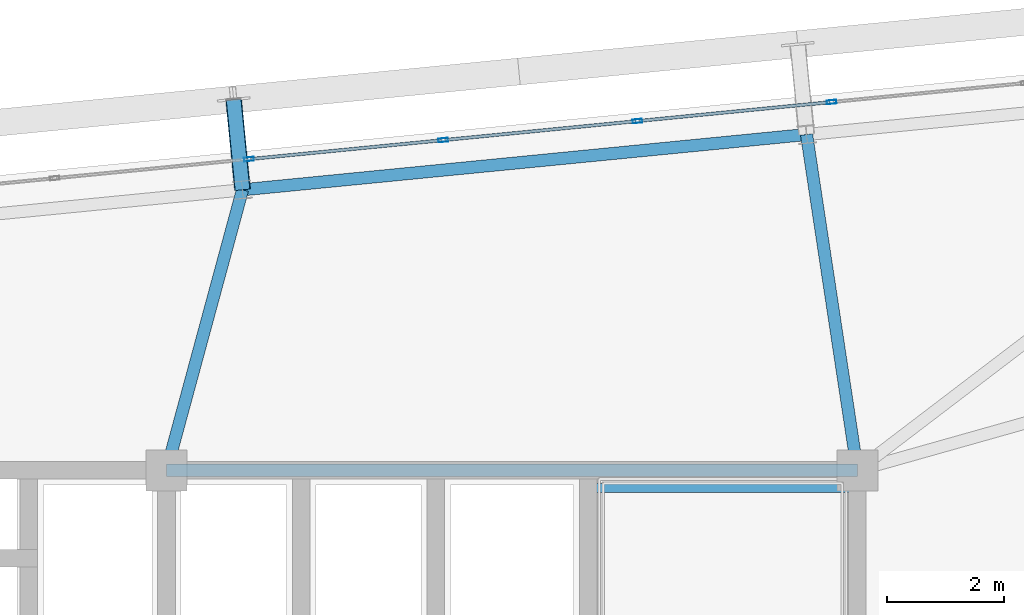
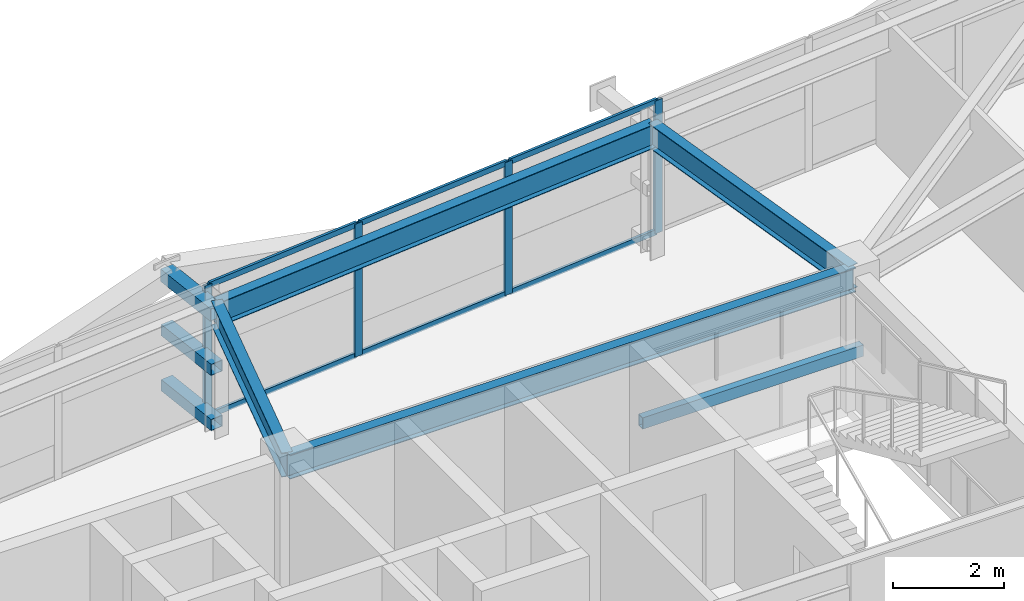
# One storey, part 31 of 52: 13 members, 5 beams, 1 element without a shape of its own.
"""IFC4 building model written with IfcOpenShell, lengths in metres."""

from ifc_helpers import new_model, si_unit, direction, frame, origin, origin_2d, place, context, subcontext, project, spatial, hollow_rectangle, i_section, extrude, source, transform, mapped, material, layer, layer_set, material_profile, profile_set, type_object, element, aggregate, save


model = new_model("IFC4")

# Units and contexts
model_context = context("Model", 3, precision=1e-05, world=origin(), true_north=direction((0.0, 1.0)))
body_context = subcontext(model_context, "Body", "Model", "MODEL_VIEW")
ifc_project = project(units=[si_unit("LENGTHUNIT", "METRE"), si_unit("AREAUNIT", "SQUARE_METRE"), si_unit("VOLUMEUNIT", "CUBIC_METRE"), si_unit("PLANEANGLEUNIT", "RADIAN"), si_unit("MASSUNIT", "GRAM", prefix="KILO")], contexts=[model_context])

# Site, building, storey
site_placement = place(None, origin())
site = spatial("IfcSite", under=ifc_project, at=site_placement, CompositionType="ELEMENT")
building_placement = place(site_placement, origin())
building = spatial("IfcBuilding", under=site, at=building_placement, Name="Taldren Reach Tower", CompositionType="ELEMENT")
storey_placement = place(building_placement, frame((0.0, 0.0, 93.449951171875)))
storey = spatial("IfcBuildingStorey", under=building, at=storey_placement, Name="L28", CompositionType="ELEMENT", Elevation=93.449951171875)

# Beam
ifc_material_1 = material(Name="Steel Gr 350 (350PLUS)", Category="steel")
ifc_material_profile_1 = material_profile(ifc_material_1, i_section(OverallWidth=0.208984375, OverallDepth=0.532958984375, WebThickness=0.01025390625, FlangeThickness=0.015625, at=origin_2d()), Name="530UB92.4")
ifc_profile_set_1 = profile_set([ifc_material_profile_1], Name="Steel Gr 350 (350PLUS)")
beam_type_1 = type_object("IfcBeamType", Name="BM-UB530A", PredefinedType="BEAM", material=ifc_profile_set_1)
shared_shape_1 = source(origin(), body_context, "Body", "SweptSolid", [
    extrude(i_section(OverallWidth=0.208984375, OverallDepth=0.532958984375, WebThickness=0.01025390625, FlangeThickness=0.015625, at=origin_2d()), origin(), (0.0, 0.0, 1.0), 11.800048828125),
])
beam_1_placement = place(storey_placement, frame((39.199951171875, 32.0, 2.66357421875), z_axis=(1.0, 0.0, 0.0), x_axis=(0.0, 1.0, 0.0)))
element("IfcBeam", 1, at=beam_1_placement, inside=storey, type_object=beam_type_1, Name="Core-spine girder L28-SP06", PredefinedType="BEAM", context=body_context, shape_type="MappedRepresentation", body=[
    mapped(shared_shape_1, transform((0.0, 0.0, 0.0), scale=1.0)),
])

# Members
ifc_material_2 = material(Name="Steel Gr 450 (C450L0)", Category="steel")
ifc_material_profile_2 = material_profile(ifc_material_2, hollow_rectangle(XDim=0.27490234375, YDim=0.27490234375, WallThickness=0.00927734375, at=origin_2d()), Name="275x275x9.3SHS")
ifc_profile_set_2 = profile_set([ifc_material_profile_2], Name="Steel Gr 450 (C450L0)")
member_type_1 = type_object("IfcMemberType", Name="MB-TIE273", PredefinedType="STRUT", material=ifc_profile_set_2)
shared_shape_2 = source(origin(), body_context, "Body", "SweptSolid", [
    extrude(hollow_rectangle(XDim=0.27490234375, YDim=0.27490234375, WallThickness=0.00927734375, at=origin_2d()), origin(), (0.0, 0.0, 1.0), 1.5498046875),
])
member_1_placement = place(storey_placement, frame((40.498291015625, 36.790771484375, 2.650146484375), z_axis=(-0.097663201064, 0.995219523099, 0.0), x_axis=(-0.995219523099, -0.097663201064, 0.0)))
element("IfcMember", 2, at=member_1_placement, inside=storey, type_object=member_type_1, Name="Exoskeleton diaphragm tie strut B2-N4 L28", PredefinedType="STRUT", context=body_context, shape_type="MappedRepresentation", body=[
    mapped(shared_shape_2, transform((0.0, 0.0, 0.0), scale=1.0)),
])
ifc_material_3 = material(Name="Steel Gr 350 (C350L0)", Category="steel")
ifc_material_profile_3 = material_profile(ifc_material_3, hollow_rectangle(XDim=0.25, YDim=0.25, WallThickness=0.010009765625, at=origin_2d()), Name="250x250x10.0SHS")
ifc_profile_set_3 = profile_set([ifc_material_profile_3], Name="Steel Gr 350 (C350L0)")
member_type_2 = type_object("IfcMemberType", Name="MB-POST250", PredefinedType="POST", material=ifc_profile_set_3)
shared_shape_3 = source(origin(), body_context, "Body", "SweptSolid", [
    extrude(hollow_rectangle(XDim=0.25, YDim=0.25, WallThickness=0.010009765625, at=origin_2d()), origin(), (0.0, 0.0, 1.0), 1.5498046875),
])
for number, where, z_axis, x_axis, name in (
    (3, (40.498291015625, 36.790771484375, 0.219970703125), (-0.097663201064, 0.995219523099, 0.0), (-0.995219523099, -0.097663201064, 0.0), "Exoskeleton base diaphragm tie strut B2-N4 L28"),
    (4, (40.498291015625, 36.790771484375, 1.43505859375), (-0.097663201064, 0.995219523099, 0.0), (-0.995219523099, -0.097663201064, 0.0), "Exoskeleton mid-tier diaphragm tie B2-N4 L28"),
):
    element("IfcMember", number, at=place(storey_placement, frame(where, z_axis=z_axis, x_axis=x_axis)), inside=storey, type_object=member_type_2, Name=name, PredefinedType="POST", context=body_context, shape_type="MappedRepresentation", body=[
        mapped(shared_shape_3, transform((0.0, 0.0, 0.0), scale=1.0)),
    ])

# Beams
ifc_material_profile_4 = material_profile(ifc_material_1, i_section(OverallWidth=0.208984375, OverallDepth=0.528076171875, WebThickness=0.009521484375, FlangeThickness=0.01318359375, at=origin_2d()), Name="530UB82.0")
ifc_profile_set_4 = profile_set([ifc_material_profile_4], Name="Steel Gr 350 (350PLUS)")
beam_type_2 = type_object("IfcBeamType", Name="SP-UB530B", PredefinedType="SPANDREL", material=ifc_profile_set_4)
shared_shape_4 = source(origin(), body_context, "Body", "SweptSolid", [
    extrude(i_section(OverallWidth=0.208984375, OverallDepth=0.528076171875, WebThickness=0.009521484375, FlangeThickness=0.01318359375, at=origin_2d()), origin(), (0.0, 0.0, 1.0), 9.679931640625),
])
beam_2_placement = place(storey_placement, frame((50.132080078125, 37.7353515625, 2.666015625), z_axis=(-0.995227612658, -0.097580730699, 0.0), x_axis=(0.097580730699, -0.995227612658, 0.0)))
element("IfcBeam", 5, at=beam_2_placement, inside=storey, type_object=beam_type_2, Name="Perimeter spandrel B2 N5-N4 L28", PredefinedType="SPANDREL", context=body_context, shape_type="MappedRepresentation", body=[
    mapped(shared_shape_4, transform((0.0, 0.0, 0.0), scale=1.0)),
])
shared_shape_5 = source(origin(), body_context, "Body", "SweptSolid", [
    extrude(i_section(OverallWidth=0.208984375, OverallDepth=0.532958984375, WebThickness=0.01025390625, FlangeThickness=0.015625, at=origin_2d()), origin(), (0.0, 0.0, 1.0), 5.800537109375),
])
beam_3_placement = place(storey_placement, frame((51.0, 32.0, 2.66357421875), z_axis=(-0.149624592867, 0.988742879221, 0.0), x_axis=(-0.988742879221, -0.149624592867, 0.0)))
element("IfcBeam", 6, at=beam_3_placement, inside=storey, type_object=beam_type_1, Name="Primary floor girder B2-N5 L28", PredefinedType="BEAM", context=body_context, shape_type="MappedRepresentation", body=[
    mapped(shared_shape_5, transform((0.0, 0.0, 0.0), scale=1.0)),
])
shared_shape_6 = source(origin(), body_context, "Body", "SweptSolid", [
    extrude(i_section(OverallWidth=0.208984375, OverallDepth=0.532958984375, WebThickness=0.01025390625, FlangeThickness=0.015625, at=origin_2d()), origin(), (0.0, 0.0, 1.0), 4.963623046875),
])
beam_4_placement = place(storey_placement, frame((39.199951171875, 32.0, 2.66357421875), z_axis=(0.261572995851, 0.965183696423, 0.0), x_axis=(-0.965183696423, 0.261572995851, 0.0)))
element("IfcBeam", 7, at=beam_4_placement, inside=storey, type_object=beam_type_1, Name="Primary floor girder B2-N4 L28", PredefinedType="BEAM", context=body_context, shape_type="MappedRepresentation", body=[
    mapped(shared_shape_6, transform((0.0, 0.0, 0.0), scale=1.0)),
])

# Curtain wall, members
ifc_material_4 = material(Name="Aluminium and Low-E Glass Unitised System", Category="aluminium")
ifc_layer = layer(ifc_material_4, 0.159912109375)
ifc_layer_set = layer_set([ifc_layer], Name="Aluminium and Low-E Glass Unitised System")
curtain_wall_type = type_object("IfcCurtainWallType", Name="CW-SYS-3", PredefinedType="NOTDEFINED", material=ifc_layer_set)
curtain_wall_placement = place(storey_placement, origin())
curtain_wall = element("IfcCurtainWall", 8, at=curtain_wall_placement, inside=storey, type_object=curtain_wall_type, Name="Unitised curtain wall CW-L28-N", PredefinedType="NOTDEFINED")
ifc_material_5 = material(Name="Anodised Aluminium 6063-T6", Category="aluminium")
ifc_material_profile_5 = material_profile(ifc_material_5, hollow_rectangle(XDim=0.06494140625, YDim=0.1650390625, WallThickness=0.00390625, at=origin_2d()), Name="ALU-165x65x4RHS")
ifc_profile_set_5 = profile_set([ifc_material_profile_5], Name="Anodised Aluminium 6063-T6")
member_type_3 = type_object("IfcMemberType", Name="CW-MUL-165", PredefinedType="MULLION", material=ifc_profile_set_5)
shared_shape_7 = source(origin(), body_context, "Body", "SweptSolid", [
    extrude(hollow_rectangle(XDim=0.06494140625, YDim=0.1650390625, WallThickness=0.00390625, at=origin_2d()), origin(), (0.0, 0.0, 1.0), 2.929931640625),
])
member_2_placement = place(storey_placement, frame((50.56005859375, 38.289794921875, 0.0), z_axis=(0.0, 0.0, 1.0), x_axis=(0.097582999046, -0.995227390247, 0.0)))
member_2 = element("IfcMember", 9, at=member_2_placement, type_object=member_type_3, Name="CW-3 mullion 4", PredefinedType="MULLION", context=body_context, shape_type="MappedRepresentation", body=[
    mapped(shared_shape_7, transform((0.0, 0.0, 0.0), scale=1.0)),
])
member_3_placement = place(storey_placement, frame((47.242431640625, 37.96435546875, 0.0), z_axis=(0.0, 0.0, 1.0), x_axis=(0.097582999046, -0.995227390247, 0.0)))
member_3 = element("IfcMember", 10, at=member_3_placement, type_object=member_type_3, Name="CW-3 mullion 5", PredefinedType="MULLION", context=body_context, shape_type="MappedRepresentation", body=[
    mapped(shared_shape_7, transform((0.0, 0.0, 0.0), scale=1.0)),
])
member_4_placement = place(storey_placement, frame((43.925048828125, 37.63916015625, 0.0), z_axis=(0.0, 0.0, 1.0), x_axis=(0.097582999046, -0.995227390247, 0.0)))
member_4 = element("IfcMember", 11, at=member_4_placement, type_object=member_type_3, Name="CW-3 mullion 6", PredefinedType="MULLION", context=body_context, shape_type="MappedRepresentation", body=[
    mapped(shared_shape_7, transform((0.0, 0.0, 0.0), scale=1.0)),
])
member_5_placement = place(storey_placement, frame((40.607666015625, 37.31396484375, 0.0), z_axis=(0.0, 0.0, 1.0), x_axis=(0.097582999046, -0.995227390247, 0.0)))
member_5 = element("IfcMember", 12, at=member_5_placement, type_object=member_type_3, Name="CW-3 mullion 7", PredefinedType="MULLION", context=body_context, shape_type="MappedRepresentation", body=[
    mapped(shared_shape_7, transform((0.0, 0.0, 0.0), scale=1.0)),
])
ifc_material_profile_6 = material_profile(ifc_material_5, hollow_rectangle(XDim=0.054931640625, YDim=0.1201171875, WallThickness=0.0029296875, at=origin_2d()), Name="ALU-120x55x3RHS")
ifc_profile_set_6 = profile_set([ifc_material_profile_6], Name="Anodised Aluminium 6063-T6")
member_type_4 = type_object("IfcMemberType", Name="CW-TRN-135", PredefinedType="USERDEFINED", material=ifc_profile_set_6)
shared_shape_8 = source(origin(), body_context, "Body", "SweptSolid", [
    extrude(hollow_rectangle(XDim=0.054931640625, YDim=0.1201171875, WallThickness=0.0029296875, at=origin_2d()), origin(), (0.0, 0.0, 1.0), 3.268310546875),
])
member_6_placement = place(storey_placement, frame((50.527587890625, 38.28662109375, 0.027587890625), z_axis=(-0.995222549564, -0.097632355496, 0.0), x_axis=(0.097632355496, -0.995222549564, 0.0)))
member_6 = element("IfcMember", 13, at=member_6_placement, type_object=member_type_4, Name="CW-3 transom 4.1", ObjectType="TRANSOM", PredefinedType="USERDEFINED", context=body_context, shape_type="MappedRepresentation", body=[
    mapped(shared_shape_8, transform((0.0, 0.0, 0.0), scale=1.0)),
])
member_7_placement = place(storey_placement, frame((50.527587890625, 38.28662109375, 2.902587890625), z_axis=(-0.995222549564, -0.097632355496, 0.0), x_axis=(0.097632355496, -0.995222549564, 0.0)))
member_7 = element("IfcMember", 14, at=member_7_placement, type_object=member_type_4, Name="CW-3 transom 4.2", ObjectType="TRANSOM", PredefinedType="USERDEFINED", context=body_context, shape_type="MappedRepresentation", body=[
    mapped(shared_shape_8, transform((0.0, 0.0, 0.0), scale=1.0)),
])
member_8_placement = place(storey_placement, frame((47.210205078125, 37.961181640625, 0.027587890625), z_axis=(-0.99522980512, -0.097558367146, 0.0), x_axis=(0.097558367146, -0.99522980512, 0.0)))
member_8 = element("IfcMember", 15, at=member_8_placement, type_object=member_type_4, Name="CW-3 transom 5.1", ObjectType="TRANSOM", PredefinedType="USERDEFINED", context=body_context, shape_type="MappedRepresentation", body=[
    mapped(shared_shape_8, transform((0.0, 0.0, 0.0), scale=1.0)),
])
member_9_placement = place(storey_placement, frame((47.210205078125, 37.961181640625, 2.902587890625), z_axis=(-0.99522980512, -0.097558367146, 0.0), x_axis=(0.097558367146, -0.99522980512, 0.0)))
member_9 = element("IfcMember", 16, at=member_9_placement, type_object=member_type_4, Name="CW-3 transom 5.2", ObjectType="TRANSOM", PredefinedType="USERDEFINED", context=body_context, shape_type="MappedRepresentation", body=[
    mapped(shared_shape_8, transform((0.0, 0.0, 0.0), scale=1.0)),
])
member_10_placement = place(storey_placement, frame((43.892822265625, 37.635986328125, 0.027587890625), z_axis=(-0.99522980512, -0.097558367146, 0.0), x_axis=(0.097558367146, -0.99522980512, 0.0)))
member_10 = element("IfcMember", 17, at=member_10_placement, type_object=member_type_4, Name="CW-3 transom 6.1", ObjectType="TRANSOM", PredefinedType="USERDEFINED", context=body_context, shape_type="MappedRepresentation", body=[
    mapped(shared_shape_8, transform((0.0, 0.0, 0.0), scale=1.0)),
])
member_11_placement = place(storey_placement, frame((43.892822265625, 37.635986328125, 2.902587890625), z_axis=(-0.99522980512, -0.097558367146, 0.0), x_axis=(0.097558367146, -0.99522980512, 0.0)))
member_11 = element("IfcMember", 18, at=member_11_placement, type_object=member_type_4, Name="CW-3 transom 6.2", ObjectType="TRANSOM", PredefinedType="USERDEFINED", context=body_context, shape_type="MappedRepresentation", body=[
    mapped(shared_shape_8, transform((0.0, 0.0, 0.0), scale=1.0)),
])
aggregate(curtain_wall, [member_2, member_3, member_4, member_5, member_6, member_7, member_8, member_9, member_10, member_11])

# Beam
ifc_material_profile_7 = material_profile(ifc_material_3, hollow_rectangle(XDim=0.14990234375, YDim=0.25, WallThickness=0.009033203125, at=origin_2d()), Name="250x150x9.0RHS")
ifc_profile_set_7 = profile_set([ifc_material_profile_7], Name="Steel Gr 350 (C350L0)")
beam_type_3 = type_object("IfcBeamType", Name="LN-RHS250", PredefinedType="LINTEL", material=ifc_profile_set_7)
shared_shape_9 = source(origin(), body_context, "Body", "SweptSolid", [
    extrude(hollow_rectangle(XDim=0.14990234375, YDim=0.25, WallThickness=0.009033203125, at=origin_2d()), origin(), (0.0, 0.0, 1.0), 4.60009765625),
])
beam_5_placement = place(storey_placement, frame((46.39990234375, 31.699951171875, 1.27001953125), z_axis=(1.0, 0.0, 0.0), x_axis=(0.0, 1.0, 0.0)))
element("IfcBeam", 19, at=beam_5_placement, inside=storey, type_object=beam_type_3, Name="Stair half-landing support beam ST2-L28-2", PredefinedType="LINTEL", context=body_context, shape_type="MappedRepresentation", body=[
    mapped(shared_shape_9, transform((0.0, 0.0, 0.0), scale=1.0)),
])

save(model, "model.ifc")
